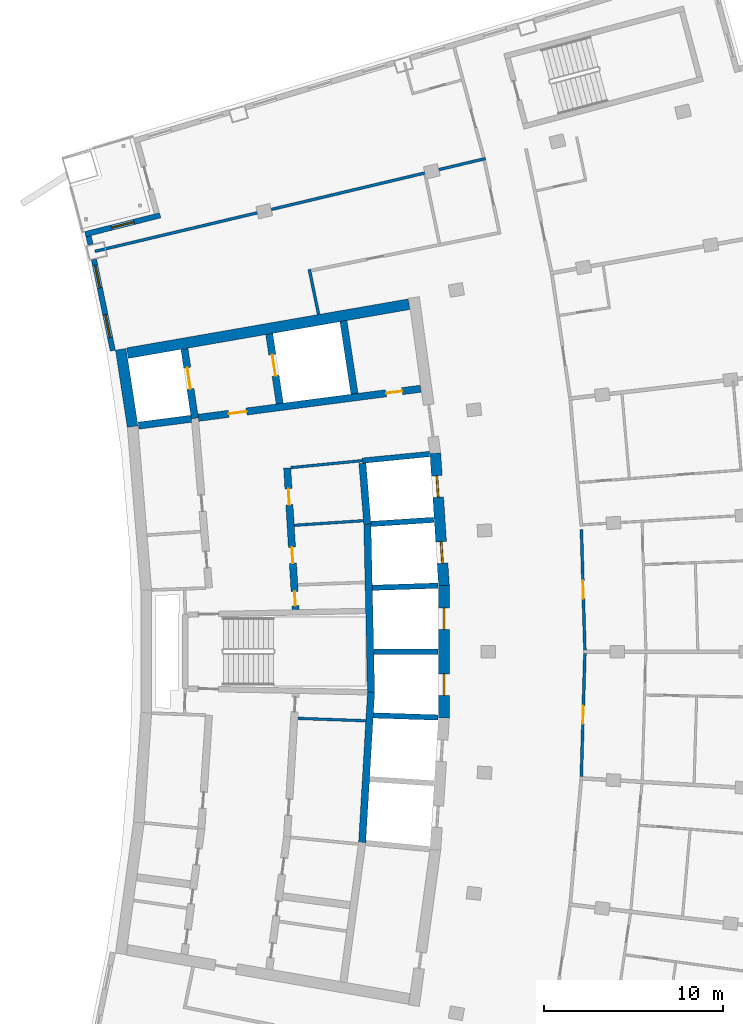
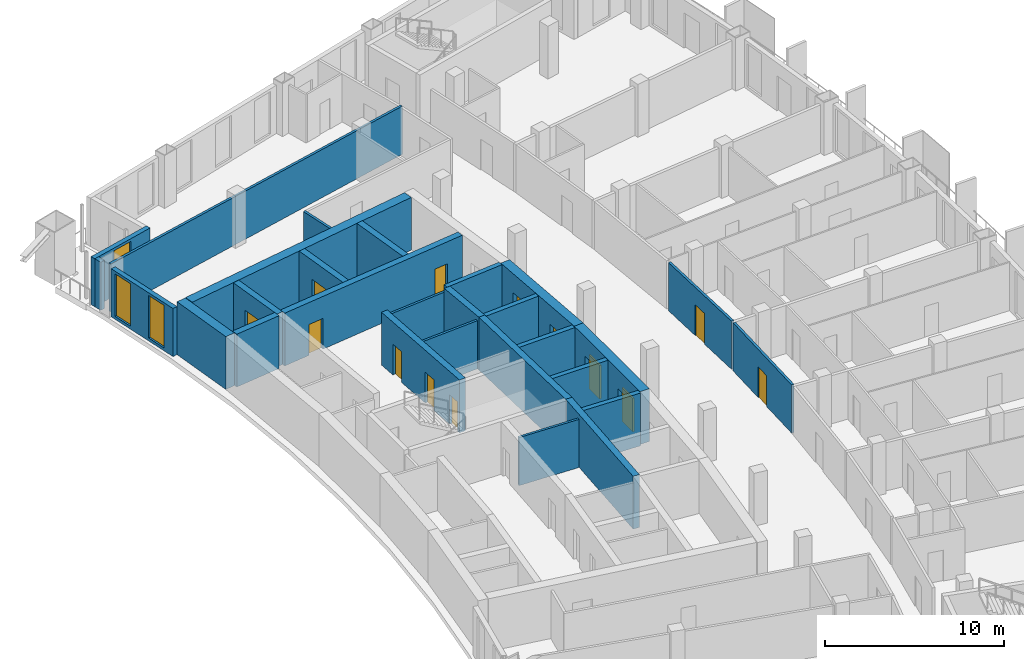
# One storey, part 12 of 18: 28 walls, 13 doors, 3 windows, 16 openings.
"""IFC4 building model written with IfcOpenShell, lengths in metres."""

from ifc_helpers import new_model, si_unit, direction, frame, frame_2d, origin, place, context, subcontext, project, spatial, rectangle, extrude, material, layer, layer_set, type_object, element, fill, save


model = new_model("IFC4")

# Units and contexts
model_context = context("Model", 3, precision=1e-05, world=origin(), true_north=direction((0.0, 1.0)))
body_context = subcontext(model_context, "Body", "Model", "MODEL_VIEW")
ifc_project = project(units=[si_unit("LENGTHUNIT", "METRE"), si_unit("AREAUNIT", "SQUARE_METRE"), si_unit("VOLUMEUNIT", "CUBIC_METRE"), si_unit("PLANEANGLEUNIT", "RADIAN"), si_unit("MASSUNIT", "GRAM", prefix="KILO")], contexts=[model_context])

# Site, building, storey
site_placement = place(None, origin())
site = spatial("IfcSite", under=ifc_project, at=site_placement, CompositionType="ELEMENT")
building_placement = place(site_placement, origin())
building = spatial("IfcBuilding", under=site, at=building_placement, Name="Alderwake Tower", CompositionType="ELEMENT")
storey_placement = place(building_placement, frame((0.0, 0.0, 225.199951171875)))
storey = spatial("IfcBuildingStorey", under=building, at=storey_placement, Name="L56", CompositionType="ELEMENT", Elevation=225.199951171875)

# Walls
ifc_material_1 = material(Name="Gypsum shaft wall system, rated")
ifc_layer_1 = layer(ifc_material_1, 0.14990234375)
ifc_layer_set_1 = layer_set([ifc_layer_1], Name="Core riser partition 150")
wall_type_1 = type_object("IfcWallType", Name="Core riser partition 150", PredefinedType="PARTITIONING", material=ifc_layer_set_1)
wall_1_placement = place(storey_placement, frame((25.1904296875, 57.276611328125, 0.0), z_axis=(0.0, 0.0, 1.0), x_axis=(0.999373547283, -0.03539086028, 0.0)))
element("IfcWall", 1, at=wall_1_placement, inside=storey, type_object=wall_type_1, Name="CW/L56/PR-37_+86", PredefinedType="PARTITIONING", context=body_context, shape_type="SweptSolid", body=[
    extrude(rectangle(XDim=3.794189453125, YDim=0.14990234375, at=frame_2d((1.89697265625, 0.0))), origin(), (0.0, 0.0, 1.0), 3.280029296875),
])
ifc_material_2 = material(Name="Gypsum shaft wall system, rated")
ifc_layer_2 = layer(ifc_material_2, 0.14990234375)
ifc_layer_set_2 = layer_set([ifc_layer_2], Name="Core room partition 150")
wall_type_2 = type_object("IfcWallType", Name="Core room partition 150", PredefinedType="PARTITIONING", material=ifc_layer_set_2)
wall_2_placement = place(storey_placement, frame((24.992431640625, 68.038818359375, 0.0), z_axis=(0.0, 0.0, 1.0), x_axis=(0.997760236964, 0.066891774789, 0.0)))
element("IfcWall", 2, at=wall_2_placement, inside=storey, type_object=wall_type_2, Name="CW/L56/PR+70_+86", PredefinedType="PARTITIONING", context=body_context, shape_type="SweptSolid", body=[
    extrude(rectangle(XDim=3.86865234375, YDim=0.14990234375, at=frame_2d((1.934326171875, 0.0))), origin(), (0.0, 0.0, 1.0), 3.280029296875),
])
wall_3_placement = place(storey_placement, frame((24.799560546875, 71.2548828125, 0.0), z_axis=(0.0, 0.0, 1.0), x_axis=(0.995250000627, 0.097352125046, 0.0)))
element("IfcWall", 3, at=wall_3_placement, inside=storey, type_object=wall_type_2, Name="CW/L56/PR+102_+86", PredefinedType="PARTITIONING", context=body_context, shape_type="SweptSolid", body=[
    extrude(rectangle(XDim=4.0, YDim=0.14990234375, at=frame_2d((2.0, 0.0))), origin(), (0.0, 0.0, 1.0), 3.280029296875),
])
ifc_material_3 = material(Name="Concrete C70/85", Category="concrete")
ifc_layer_3 = layer(ifc_material_3, 0.60009765625)
ifc_layer_set_3 = layer_set([ifc_layer_3], Name="Core wall outer 600 C70-85")
wall_type_3 = type_object("IfcWallType", Name="Core wall outer 600 C70-85", PredefinedType="SHEAR", material=ifc_layer_set_3)
wall_4_placement = place(storey_placement, frame((15.984130859375, 73.54296875, 0.0), z_axis=(0.0, 0.0, 1.0), x_axis=(-0.151922578304, 0.988392396876, 0.0)))
element("IfcWall", 4, at=wall_4_placement, inside=storey, type_object=wall_type_3, Name="Core wall CW.034", PredefinedType="SHEAR", context=body_context, shape_type="SweptSolid", body=[
    extrude(rectangle(XDim=4.361328125, YDim=0.60009765625, at=frame_2d((2.1806640625, 0.0))), origin(), (0.0, 0.0, 1.0), 3.60009765625),
])

# Wall, openings, doors
wall_5_placement = place(storey_placement, frame((33.340087890625, 57.30322265625, 0.0), z_axis=(0.0, 0.0, 1.0), x_axis=(0.0, 1.0, 0.0)))
wall_5 = element("IfcWall", 5, at=wall_5_placement, inside=storey, type_object=wall_type_3, Name="Core wall CW.018", PredefinedType="SHEAR", context=body_context, shape_type="SweptSolid", body=[
    extrude(rectangle(XDim=7.3935546875, YDim=0.60009765625, at=frame_2d((3.69677734375, 0.0))), origin(), (0.0, 0.0, 1.0), 3.60009765625),
])
opening_1_placement = place(wall_5_placement, frame((1.25341796875, 0.0, 0.0)))
opening_1 = element("IfcOpeningElement", 6, at=opening_1_placement, cuts=wall_5, Name="Opening LD-HP3", PredefinedType="OPENING", context=body_context, shape_type="SweptSolid", body=[
    extrude(rectangle(XDim=1.199951171875, YDim=2.300048828125, at=frame_2d((0.60009765625, 1.14990234375))), frame((0.0, 0.31005859375, 0.0), z_axis=(0.0, -1.0, 0.0), x_axis=(1.0, 0.0, 0.0)), (0.0, 0.0, 1.0), 0.6201171875),
])
opening_2_placement = place(wall_5_placement, frame((4.940185546875, 0.0, 0.0)))
opening_2 = element("IfcOpeningElement", 7, at=opening_2_placement, cuts=wall_5, Name="Opening LD-HP4", PredefinedType="OPENING", context=body_context, shape_type="SweptSolid", body=[
    extrude(rectangle(XDim=1.199951171875, YDim=2.300048828125, at=frame_2d((0.60009765625, 1.14990234375))), frame((0.0, 0.31005859375, 0.0), z_axis=(0.0, -1.0, 0.0), x_axis=(1.0, 0.0, 0.0)), (0.0, 0.0, 1.0), 0.6201171875),
])
ifc_material_4 = material(Name="Stainless steel sliding leaf", Category="steel")
door_type_1 = type_object("IfcDoorType", Name="Lift landing door 1200", OperationType="SLIDING_TO_LEFT", PredefinedType="DOOR", material=ifc_material_4)
door_1_placement = place(opening_1_placement, origin())
door_1 = element("IfcDoor", 8, at=door_1_placement, inside=storey, type_object=door_type_1, Name="Lift landing door HP3", OperationType="SLIDING_TO_LEFT", OverallHeight=2.300048828125, OverallWidth=1.199951171875, PredefinedType="DOOR", context=body_context, shape_type="SweptSolid", body=[
    extrude(rectangle(XDim=1.199951171875, YDim=2.300048828125, at=frame_2d((0.60009765625, 1.14990234375))), frame((0.0, 0.050048828125, 0.0), z_axis=(0.0, -1.0, 0.0), x_axis=(1.0, 0.0, 0.0)), (0.0, 0.0, 1.0), 0.10009765625),
])
fill(opening_1, door_1)
door_2_placement = place(opening_2_placement, origin())
door_2 = element("IfcDoor", 9, at=door_2_placement, inside=storey, type_object=door_type_1, Name="Lift landing door HP4", OperationType="SLIDING_TO_LEFT", OverallHeight=2.300048828125, OverallWidth=1.199951171875, PredefinedType="DOOR", context=body_context, shape_type="SweptSolid", body=[
    extrude(rectangle(XDim=1.199951171875, YDim=2.300048828125, at=frame_2d((0.60009765625, 1.14990234375))), frame((0.0, 0.050048828125, 0.0), z_axis=(0.0, -1.0, 0.0), x_axis=(1.0, 0.0, 0.0)), (0.0, 0.0, 1.0), 0.10009765625),
])
fill(opening_2, door_2)

wall_6_placement = place(storey_placement, frame((33.3408203125, 64.67626953125, 0.0), z_axis=(0.0, 0.0, 1.0), x_axis=(-0.065013379938, 0.997884392317, 0.0)))
wall_6 = element("IfcWall", 10, at=wall_6_placement, inside=storey, type_object=wall_type_3, Name="Core wall CW.015", PredefinedType="SHEAR", context=body_context, shape_type="SweptSolid", body=[
    extrude(rectangle(XDim=7.39404296875, YDim=0.60009765625, at=frame_2d((3.697021484375, 0.0))), origin(), (0.0, 0.0, 1.0), 3.60009765625),
])
opening_3_placement = place(wall_6_placement, frame((1.253173828125, 0.0, 0.0)))
opening_3 = element("IfcOpeningElement", 11, at=opening_3_placement, cuts=wall_6, Name="Opening LD-HP5", PredefinedType="OPENING", context=body_context, shape_type="SweptSolid", body=[
    extrude(rectangle(XDim=1.199951171875, YDim=2.300048828125, at=frame_2d((0.60009765625, 1.14990234375))), frame((0.0, 0.31005859375, 0.0), z_axis=(0.0, -1.0, 0.0), x_axis=(1.0, 0.0, 0.0)), (0.0, 0.0, 1.0), 0.6201171875),
])
opening_4_placement = place(wall_6_placement, frame((4.940185546875, 0.0, 0.0)))
opening_4 = element("IfcOpeningElement", 12, at=opening_4_placement, cuts=wall_6, Name="Opening LD-HP6", PredefinedType="OPENING", context=body_context, shape_type="SweptSolid", body=[
    extrude(rectangle(XDim=1.199951171875, YDim=2.300048828125, at=frame_2d((0.60009765625, 1.14990234375))), frame((0.0, 0.31005859375, 0.0), z_axis=(0.0, -1.0, 0.0), x_axis=(1.0, 0.0, 0.0)), (0.0, 0.0, 1.0), 0.6201171875),
])
door_3_placement = place(opening_3_placement, origin())
door_3 = element("IfcDoor", 13, at=door_3_placement, inside=storey, type_object=door_type_1, Name="Lift landing door HP5", OperationType="SLIDING_TO_LEFT", OverallHeight=2.300048828125, OverallWidth=1.199951171875, PredefinedType="DOOR", context=body_context, shape_type="SweptSolid", body=[
    extrude(rectangle(XDim=1.199951171875, YDim=2.300048828125, at=frame_2d((0.60009765625, 1.14990234375))), frame((0.0, 0.050048828125, 0.0), z_axis=(0.0, -1.0, 0.0), x_axis=(1.0, 0.0, 0.0)), (0.0, 0.0, 1.0), 0.10009765625),
])
fill(opening_3, door_3)
door_4_placement = place(opening_4_placement, origin())
door_4 = element("IfcDoor", 14, at=door_4_placement, inside=storey, type_object=door_type_1, Name="Lift landing door HP6", OperationType="SLIDING_TO_LEFT", OverallHeight=2.300048828125, OverallWidth=1.199951171875, PredefinedType="DOOR", context=body_context, shape_type="SweptSolid", body=[
    extrude(rectangle(XDim=1.199951171875, YDim=2.300048828125, at=frame_2d((0.60009765625, 1.14990234375))), frame((0.0, 0.050048828125, 0.0), z_axis=(0.0, -1.0, 0.0), x_axis=(1.0, 0.0, 0.0)), (0.0, 0.0, 1.0), 0.10009765625),
])
fill(opening_4, door_4)

# Walls
wall_7_placement = place(storey_placement, frame((15.68896484375, 77.6357421875, 0.0), z_axis=(0.0, 0.0, 1.0), x_axis=(0.985223223422, 0.17127521721, 0.0)))
element("IfcWall", 15, at=wall_7_placement, inside=storey, type_object=wall_type_3, Name="Core wall CW.055", PredefinedType="SHEAR", context=body_context, shape_type="SweptSolid", body=[
    extrude(rectangle(XDim=15.933349609375, YDim=0.60009765625, at=frame_2d((7.966796875, 0.0))), origin(), (0.0, 0.0, 1.0), 3.60009765625),
])
ifc_material_5 = material(Name="Concrete C70/85", Category="concrete")
ifc_layer_4 = layer(ifc_material_5, 0.300048828125)
ifc_layer_set_4 = layer_set([ifc_layer_4], Name="Core wall shaft 300 C70-85")
wall_type_4 = type_object("IfcWallType", Name="Core wall shaft 300 C70-85", PredefinedType="SHEAR", material=ifc_layer_set_4)
wall_8_placement = place(storey_placement, frame((29.400634765625, 57.441650390625, 0.0), z_axis=(0.0, 0.0, 1.0), x_axis=(0.999471151072, -0.032517966969, 0.0)))
element("IfcWall", 16, at=wall_8_placement, inside=storey, type_object=wall_type_4, Name="Core wall CW.075", PredefinedType="SHEAR", context=body_context, shape_type="SweptSolid", body=[
    extrude(rectangle(XDim=3.611328125, YDim=0.300048828125, at=frame_2d((1.8056640625, 0.0))), origin(), (0.0, 0.0, 1.0), 3.60009765625),
])
wall_9_placement = place(storey_placement, frame((29.426025390625, 61.0, 0.0), z_axis=(0.0, 0.0, 1.0), x_axis=(1.0, 0.0, 0.0)))
element("IfcWall", 17, at=wall_9_placement, inside=storey, type_object=wall_type_4, Name="Core wall CW.048", PredefinedType="SHEAR", context=body_context, shape_type="SweptSolid", body=[
    extrude(rectangle(XDim=3.583984375, YDim=0.300048828125, at=frame_2d((1.7919921875, 0.0))), origin(), (0.0, 0.0, 1.0), 3.60009765625),
])
wall_10_placement = place(storey_placement, frame((29.347412109375, 64.556396484375, 0.0), z_axis=(0.0, 0.0, 1.0), x_axis=(0.99946918462, 0.032578351638, 0.0)))
element("IfcWall", 18, at=wall_10_placement, inside=storey, type_object=wall_type_4, Name="Core wall CW.058", PredefinedType="SHEAR", context=body_context, shape_type="SweptSolid", body=[
    extrude(rectangle(XDim=3.66455078125, YDim=0.300048828125, at=frame_2d((1.832275390625, 0.0))), origin(), (0.0, 0.0, 1.0), 3.60009765625),
])
wall_11_placement = place(storey_placement, frame((29.268798828125, 68.115478515625, 0.0), z_axis=(0.0, 0.0, 1.0), x_axis=(0.997887366571, 0.064967712281, 0.0)))
element("IfcWall", 19, at=wall_11_placement, inside=storey, type_object=wall_type_4, Name="Core wall CW.061", PredefinedType="SHEAR", context=body_context, shape_type="SweptSolid", body=[
    extrude(rectangle(XDim=3.509765625, YDim=0.300048828125, at=frame_2d((1.7548828125, 0.0))), origin(), (0.0, 0.0, 1.0), 3.60009765625),
])
wall_12_placement = place(storey_placement, frame((28.780517578125, 71.644287109375, 0.0), z_axis=(0.0, 0.0, 1.0), x_axis=(0.995245280185, 0.097400370992, 0.0)))
element("IfcWall", 20, at=wall_12_placement, inside=storey, type_object=wall_type_4, Name="Core wall CW.049", PredefinedType="SHEAR", context=body_context, shape_type="SweptSolid", body=[
    extrude(rectangle(XDim=3.769775390625, YDim=0.300048828125, at=frame_2d((1.884765625, 0.0))), origin(), (0.0, 0.0, 1.0), 3.60009765625),
])

# Wall, opening, door
ifc_material_6 = material(Name="Concrete C70/85", Category="concrete")
ifc_layer_5 = layer(ifc_material_6, 0.39990234375)
ifc_layer_set_5 = layer_set([ifc_layer_5], Name="Core wall spine 400 C70-85")
wall_type_5 = type_object("IfcWallType", Name="Core wall spine 400 C70-85", PredefinedType="SHEAR", material=ifc_layer_set_5)
wall_13_placement = place(storey_placement, frame((19.4541015625, 74.00048828125, 0.0), z_axis=(0.0, 0.0, 1.0), x_axis=(-0.148977743105, 0.98884054936, 0.0)))
wall_13 = element("IfcWall", 21, at=wall_13_placement, inside=storey, type_object=wall_type_5, Name="Core wall CW.030", PredefinedType="SHEAR", context=body_context, shape_type="SweptSolid", body=[
    extrude(rectangle(XDim=3.9150390625, YDim=0.39990234375, at=frame_2d((1.95751953125, 0.0))), origin(), (0.0, 0.0, 1.0), 3.60009765625),
])
opening_5_placement = place(wall_13_placement, frame((1.6611328125, 0.0, 0.0)))
opening_5 = element("IfcOpeningElement", 22, at=opening_5_placement, cuts=wall_13, Name="Opening LD-FF1", PredefinedType="OPENING", context=body_context, shape_type="SweptSolid", body=[
    extrude(rectangle(XDim=1.199951171875, YDim=2.300048828125, at=frame_2d((0.60009765625, 1.14990234375))), frame((0.0, 0.2099609375, 0.0), z_axis=(0.0, -1.0, 0.0), x_axis=(1.0, 0.0, 0.0)), (0.0, 0.0, 1.0), 0.419921875),
])
door_5_placement = place(opening_5_placement, origin())
door_5 = element("IfcDoor", 23, at=door_5_placement, inside=storey, type_object=door_type_1, Name="Lift landing door FF1", OperationType="SLIDING_TO_LEFT", OverallHeight=2.300048828125, OverallWidth=1.199951171875, PredefinedType="DOOR", context=body_context, shape_type="SweptSolid", body=[
    extrude(rectangle(XDim=1.199951171875, YDim=2.300048828125, at=frame_2d((0.60009765625, 1.14990234375))), frame((0.0, 0.02490234375, 0.0), z_axis=(0.0, -1.0, 0.0), x_axis=(1.0, 0.0, 0.0)), (0.0, 0.0, 1.0), 0.050048828125),
])
fill(opening_5, door_5)

# Wall, openings, doors
wall_14_placement = place(storey_placement, frame((25.073974609375, 63.335693359375, 0.0), z_axis=(0.0, 0.0, 1.0), x_axis=(-0.059848641072, 0.998207463487, 0.0)))
wall_14 = element("IfcWall", 24, at=wall_14_placement, inside=storey, type_object=wall_type_5, Name="Core wall CW.045", PredefinedType="SHEAR", context=body_context, shape_type="SweptSolid", body=[
    extrude(rectangle(XDim=7.913818359375, YDim=0.39990234375, at=frame_2d((3.95703125, 0.0))), origin(), (0.0, 0.0, 1.0), 3.60009765625),
])
opening_6_placement = place(wall_14_placement, frame((0.216064453125, 0.0, 0.0)))
opening_6 = element("IfcOpeningElement", 25, at=opening_6_placement, cuts=wall_14, Name="Opening C005", PredefinedType="OPENING", context=body_context, shape_type="SweptSolid", body=[
    extrude(rectangle(XDim=0.800048828125, YDim=2.0, at=frame_2d((0.39990234375, 1.0))), frame((0.0, 0.2099609375, 0.0), z_axis=(0.0, -1.0, 0.0), x_axis=(1.0, 0.0, 0.0)), (0.0, 0.0, 1.0), 0.419921875),
])
opening_7_placement = place(wall_14_placement, frame((5.856201171875, 0.0, 0.0)))
opening_7 = element("IfcOpeningElement", 26, at=opening_7_placement, cuts=wall_14, Name="Opening C023", PredefinedType="OPENING", context=body_context, shape_type="SweptSolid", body=[
    extrude(rectangle(XDim=0.89990234375, YDim=2.10009765625, at=frame_2d((0.449951171875, 1.050048828125))), frame((0.0, 0.2099609375, 0.0), z_axis=(0.0, -1.0, 0.0), x_axis=(1.0, 0.0, 0.0)), (0.0, 0.0, 1.0), 0.419921875),
])
opening_8_placement = place(wall_14_placement, frame((2.590087890625, 0.0, 0.0)))
opening_8 = element("IfcOpeningElement", 27, at=opening_8_placement, cuts=wall_14, Name="Opening C059", PredefinedType="OPENING", context=body_context, shape_type="SweptSolid", body=[
    extrude(rectangle(XDim=0.89990234375, YDim=2.10009765625, at=frame_2d((0.449951171875, 1.050048828125))), frame((0.0, 0.2099609375, 0.0), z_axis=(0.0, -1.0, 0.0), x_axis=(1.0, 0.0, 0.0)), (0.0, 0.0, 1.0), 0.419921875),
])
ifc_material_7 = material(Name="Painted steel leaf", Category="steel")
door_type_2 = type_object("IfcDoorType", Name="Core room door 900", OperationType="SINGLE_SWING_LEFT", PredefinedType="DOOR", material=ifc_material_7)
door_6_placement = place(opening_7_placement, origin())
door_6 = element("IfcDoor", 28, at=door_6_placement, inside=storey, type_object=door_type_2, Name="Room door", OperationType="SINGLE_SWING_RIGHT", OverallHeight=2.10009765625, OverallWidth=0.89990234375, PredefinedType="DOOR", context=body_context, shape_type="SweptSolid", body=[
    extrude(rectangle(XDim=0.89990234375, YDim=2.10009765625, at=frame_2d((0.449951171875, 1.050048828125))), frame((0.0, 0.02490234375, 0.0), z_axis=(0.0, -1.0, 0.0), x_axis=(1.0, 0.0, 0.0)), (0.0, 0.0, 1.0), 0.050048828125),
])
fill(opening_7, door_6)
door_7_placement = place(opening_8_placement, origin())
door_7 = element("IfcDoor", 29, at=door_7_placement, inside=storey, type_object=door_type_2, Name="Room door", OperationType="SINGLE_SWING_LEFT", OverallHeight=2.10009765625, OverallWidth=0.89990234375, PredefinedType="DOOR", context=body_context, shape_type="SweptSolid", body=[
    extrude(rectangle(XDim=0.89990234375, YDim=2.10009765625, at=frame_2d((0.449951171875, 1.050048828125))), frame((0.0, 0.02490234375, 0.0), z_axis=(0.0, -1.0, 0.0), x_axis=(1.0, 0.0, 0.0)), (0.0, 0.0, 1.0), 0.050048828125),
])
fill(opening_8, door_7)
ifc_material_8 = material(Name="Painted steel leaf, rated", Category="steel")
door_type_3 = type_object("IfcDoorType", Name="Riser access door 800", OperationType="SINGLE_SWING_LEFT", PredefinedType="DOOR", material=ifc_material_8)
door_8_placement = place(opening_6_placement, origin())
door_8 = element("IfcDoor", 30, at=door_8_placement, inside=storey, type_object=door_type_3, Name="Riser access door", OperationType="SINGLE_SWING_LEFT", OverallHeight=2.0, OverallWidth=0.800048828125, PredefinedType="DOOR", context=body_context, shape_type="SweptSolid", body=[
    extrude(rectangle(XDim=0.800048828125, YDim=2.0, at=frame_2d((0.39990234375, 1.0))), frame((0.0, 0.02490234375, 0.0), z_axis=(0.0, -1.0, 0.0), x_axis=(1.0, 0.0, 0.0)), (0.0, 0.0, 1.0), 0.050048828125),
])
fill(opening_6, door_8)

# Wall, opening, door
wall_15_placement = place(storey_placement, frame((24.186279296875, 74.82861328125, 0.0), z_axis=(0.0, 0.0, 1.0), x_axis=(-0.150092938275, 0.988671891924, 0.0)))
wall_15 = element("IfcWall", 31, at=wall_15_placement, inside=storey, type_object=wall_type_5, Name="Core wall CW.044", PredefinedType="SHEAR", context=body_context, shape_type="SweptSolid", body=[
    extrude(rectangle(XDim=3.92333984375, YDim=0.39990234375, at=frame_2d((1.961669921875, 0.0))), origin(), (0.0, 0.0, 1.0), 3.60009765625),
])
opening_9_placement = place(wall_15_placement, frame((1.561767578125, 0.0, 0.0)))
opening_9 = element("IfcOpeningElement", 32, at=opening_9_placement, cuts=wall_15, Name="Opening LD-FF2", PredefinedType="OPENING", context=body_context, shape_type="SweptSolid", body=[
    extrude(rectangle(XDim=1.199951171875, YDim=2.300048828125, at=frame_2d((0.60009765625, 1.14990234375))), frame((0.0, 0.2099609375, 0.0), z_axis=(0.0, -1.0, 0.0), x_axis=(1.0, 0.0, 0.0)), (0.0, 0.0, 1.0), 0.419921875),
])
door_9_placement = place(opening_9_placement, origin())
door_9 = element("IfcDoor", 33, at=door_9_placement, inside=storey, type_object=door_type_1, Name="Lift landing door FF2", OperationType="SLIDING_TO_LEFT", OverallHeight=2.300048828125, OverallWidth=1.199951171875, PredefinedType="DOOR", context=body_context, shape_type="SweptSolid", body=[
    extrude(rectangle(XDim=1.199951171875, YDim=2.300048828125, at=frame_2d((0.60009765625, 1.14990234375))), frame((0.0, 0.02490234375, 0.0), z_axis=(0.0, -1.0, 0.0), x_axis=(1.0, 0.0, 0.0)), (0.0, 0.0, 1.0), 0.050048828125),
])
fill(opening_9, door_9)

# Walls
wall_16_placement = place(storey_placement, frame((28.780029296875, 50.34765625, 0.0), z_axis=(0.0, 0.0, 1.0), x_axis=(0.05912910263, 0.998250343963, 0.0)))
element("IfcWall", 34, at=wall_16_placement, inside=storey, type_object=wall_type_5, Name="Core wall CW.004", PredefinedType="SHEAR", context=body_context, shape_type="SweptSolid", body=[
    extrude(rectangle(XDim=8.40234375, YDim=0.39990234375, at=frame_2d((4.201171875, 0.0))), origin(), (0.0, 0.0, 1.0), 3.60009765625),
])
wall_17_placement = place(storey_placement, frame((29.276611328125, 58.71826171875, 0.0), z_axis=(0.0, 0.0, 1.0), x_axis=(-0.022119171053, 0.999755341207, 0.0)))
element("IfcWall", 35, at=wall_17_placement, inside=storey, type_object=wall_type_5, Name="Core wall CW.007", PredefinedType="SHEAR", context=body_context, shape_type="SweptSolid", body=[
    extrude(rectangle(XDim=9.392822265625, YDim=0.39990234375, at=frame_2d((4.6962890625, 0.0))), origin(), (0.0, 0.0, 1.0), 3.60009765625),
])
wall_18_placement = place(storey_placement, frame((29.069580078125, 68.09619140625, 0.0), z_axis=(0.0, 0.0, 1.0), x_axis=(-0.080544811251, 0.996750988653, 0.0)))
element("IfcWall", 36, at=wall_18_placement, inside=storey, type_object=wall_type_5, Name="Core wall CW.003", PredefinedType="SHEAR", context=body_context, shape_type="SweptSolid", body=[
    extrude(rectangle(XDim=3.409912109375, YDim=0.39990234375, at=frame_2d((1.705078125, 0.0))), origin(), (0.0, 0.0, 1.0), 3.60009765625),
])
wall_19_placement = place(storey_placement, frame((28.350830078125, 75.373291015625, 0.0), z_axis=(0.0, 0.0, 1.0), x_axis=(-0.150143035921, 0.988664285167, 0.0)))
element("IfcWall", 37, at=wall_19_placement, inside=storey, type_object=wall_type_5, Name="Core wall CW.001", PredefinedType="SHEAR", context=body_context, shape_type="SweptSolid", body=[
    extrude(rectangle(XDim=4.1123046875, YDim=0.39990234375, at=frame_2d((2.05615234375, 0.0))), origin(), (0.0, 0.0, 1.0), 3.60009765625),
])
wall_20_placement = place(storey_placement, frame((16.31005859375, 73.5966796875, 0.0), z_axis=(0.0, 0.0, 1.0), x_axis=(0.99155863891, 0.12965903595, 0.0)))
element("IfcWall", 38, at=wall_20_placement, inside=storey, type_object=wall_type_5, Name="Core wall CW.051", PredefinedType="SHEAR", context=body_context, shape_type="SweptSolid", body=[
    extrude(rectangle(XDim=2.969482421875, YDim=0.39990234375, at=frame_2d((1.48486328125, 0.0))), origin(), (0.0, 0.0, 1.0), 3.60009765625),
])

# Wall, openings, doors
wall_21_placement = place(storey_placement, frame((32.032958984375, 75.653076171875, 0.0), z_axis=(0.0, 0.0, 1.0), x_axis=(-0.991554886316, -0.129687730428, 0.0)))
wall_21 = element("IfcWall", 39, at=wall_21_placement, inside=storey, type_object=wall_type_5, Name="Core wall CW.052", PredefinedType="SHEAR", context=body_context, shape_type="SweptSolid", body=[
    extrude(rectangle(XDim=12.48681640625, YDim=0.39990234375, at=frame_2d((6.243408203125, 0.0))), origin(), (0.0, 0.0, 1.0), 3.60009765625),
])
opening_10_placement = place(wall_21_placement, frame((9.787109375, 0.0, 0.0)))
opening_10 = element("IfcOpeningElement", 40, at=opening_10_placement, cuts=wall_21, Name="Opening C002", PredefinedType="OPENING", context=body_context, shape_type="SweptSolid", body=[
    extrude(rectangle(XDim=1.0, YDim=2.10009765625, at=frame_2d((0.5, 1.050048828125))), frame((0.0, 0.2099609375, 0.0), z_axis=(0.0, -1.0, 0.0), x_axis=(1.0, 0.0, 0.0)), (0.0, 0.0, 1.0), 0.419921875),
])
opening_11_placement = place(wall_21_placement, frame((1.037109375, 0.0, 0.0)))
opening_11 = element("IfcOpeningElement", 41, at=opening_11_placement, cuts=wall_21, Name="Opening C020", PredefinedType="OPENING", context=body_context, shape_type="SweptSolid", body=[
    extrude(rectangle(XDim=0.89990234375, YDim=2.10009765625, at=frame_2d((0.449951171875, 1.050048828125))), frame((0.0, 0.2099609375, 0.0), z_axis=(0.0, -1.0, 0.0), x_axis=(1.0, 0.0, 0.0)), (0.0, 0.0, 1.0), 0.419921875),
])
door_10_placement = place(opening_11_placement, origin())
door_10 = element("IfcDoor", 42, at=door_10_placement, inside=storey, type_object=door_type_2, Name="Room door", OperationType="SINGLE_SWING_LEFT", OverallHeight=2.10009765625, OverallWidth=0.89990234375, PredefinedType="DOOR", context=body_context, shape_type="SweptSolid", body=[
    extrude(rectangle(XDim=0.89990234375, YDim=2.10009765625, at=frame_2d((0.449951171875, 1.050048828125))), frame((0.0, 0.02490234375, 0.0), z_axis=(0.0, -1.0, 0.0), x_axis=(1.0, 0.0, 0.0)), (0.0, 0.0, 1.0), 0.050048828125),
])
fill(opening_11, door_10)
ifc_material_9 = material(Name="Steel-framed fire door leaf", Category="steel")
door_type_4 = type_object("IfcDoorType", Name="Firefighting lobby door 1000 fire-rated", OperationType="SINGLE_SWING_LEFT", PredefinedType="DOOR", material=ifc_material_9)
door_11_placement = place(opening_10_placement, origin())
door_11 = element("IfcDoor", 43, at=door_11_placement, inside=storey, type_object=door_type_4, Name="Firefighting lobby door", OperationType="SINGLE_SWING_RIGHT", OverallHeight=2.10009765625, OverallWidth=1.0, PredefinedType="DOOR", context=body_context, shape_type="SweptSolid", body=[
    extrude(rectangle(XDim=1.0, YDim=2.10009765625, at=frame_2d((0.5, 1.050048828125))), frame((0.0, 0.02490234375, 0.0), z_axis=(0.0, -1.0, 0.0), x_axis=(1.0, 0.0, 0.0)), (0.0, 0.0, 1.0), 0.050048828125),
])
fill(opening_10, door_11)

# Walls
ifc_material_10 = material(Name="Gypsum board on metal studs, rated")
ifc_layer_6 = layer(ifc_material_10, 0.159912109375)
ifc_layer_set_6 = layer_set([ifc_layer_6], Name="Corridor wall 160")
wall_type_6 = type_object("IfcWallType", Name="Corridor wall 160", PredefinedType="PARTITIONING", material=ifc_layer_set_6)
wall_22_placement = place(storey_placement, frame((13.884033203125, 83.31298828125, 0.0), z_axis=(0.0, 0.0, 1.0), x_axis=(0.972893462073, 0.231253781493, 0.0)))
element("IfcWall", 44, at=wall_22_placement, inside=storey, type_object=wall_type_6, Name="WL/L56/W11", PredefinedType="PARTITIONING", context=body_context, shape_type="SweptSolid", body=[
    extrude(rectangle(XDim=22.38037109375, YDim=0.159912109375, at=frame_2d((11.190185546875, 0.0))), origin(), (0.0, 0.0, 1.0), 3.280029296875),
])
wall_23_placement = place(storey_placement, frame((25.831787109375, 82.305419921875, 0.0), z_axis=(0.0, 0.0, 1.0), x_axis=(0.202450797205, -0.979292435747, 0.0)))
element("IfcWall", 45, at=wall_23_placement, inside=storey, type_object=wall_type_6, Name="WL/L56/W14", PredefinedType="PARTITIONING", context=body_context, shape_type="SweptSolid", body=[
    extrude(rectangle(XDim=2.555419921875, YDim=0.159912109375, at=frame_2d((1.27783203125, 0.0))), origin(), (0.0, 0.0, 1.0), 3.280029296875),
])

# Wall, opening, door
wall_24_placement = place(storey_placement, frame((41.196044921875, 60.89892578125, 0.0), z_axis=(0.0, 0.0, 1.0), x_axis=(-0.028865238788, -0.99958331218, 0.0)))
wall_24 = element("IfcWall", 46, at=wall_24_placement, inside=storey, type_object=wall_type_6, Name="WL/L56/W27", PredefinedType="PARTITIONING", context=body_context, shape_type="SweptSolid", body=[
    extrude(rectangle(XDim=6.867919921875, YDim=0.159912109375, at=frame_2d((3.43408203125, 0.0))), origin(), (0.0, 0.0, 1.0), 3.280029296875),
])
opening_12_placement = place(wall_24_placement, frame((2.933837890625, 0.0, 0.0)))
opening_12 = element("IfcOpeningElement", 47, at=opening_12_placement, cuts=wall_24, Name="Opening R16-U05.1", PredefinedType="OPENING", context=body_context, shape_type="SweptSolid", body=[
    extrude(rectangle(XDim=1.0, YDim=2.10009765625, at=frame_2d((0.5, 1.050048828125))), frame((0.0, 0.08984375, 0.0), z_axis=(0.0, -1.0, 0.0), x_axis=(1.0, 0.0, 0.0)), (0.0, 0.0, 1.0), 0.179931640625),
])
ifc_material_11 = material(Name="Solid timber leaf in steel frame", Category="steel")
door_type_5 = type_object("IfcDoorType", Name="Flat entrance door 1000 fire-rated", OperationType="SINGLE_SWING_LEFT", PredefinedType="DOOR", material=ifc_material_11)
door_12_placement = place(opening_12_placement, origin())
door_12 = element("IfcDoor", 48, at=door_12_placement, inside=storey, type_object=door_type_5, Name="DR/L56/U05.1", OperationType="SINGLE_SWING_LEFT", OverallHeight=2.10009765625, OverallWidth=1.0, PredefinedType="DOOR", context=body_context, shape_type="SweptSolid", body=[
    extrude(rectangle(XDim=1.0, YDim=2.10009765625, at=frame_2d((0.5, 1.050048828125))), frame((0.0, 0.02490234375, 0.0), z_axis=(0.0, -1.0, 0.0), x_axis=(1.0, 0.0, 0.0)), (0.0, 0.0, 1.0), 0.050048828125),
])
fill(opening_12, door_12)

wall_25_placement = place(storey_placement, frame((41.002685546875, 67.80029296875, 0.0), z_axis=(0.0, 0.0, 1.0), x_axis=(0.0288425569, -0.999583966914, 0.0)))
wall_25 = element("IfcWall", 49, at=wall_25_placement, inside=storey, type_object=wall_type_6, Name="WL/L56/W29", PredefinedType="PARTITIONING", context=body_context, shape_type="SweptSolid", body=[
    extrude(rectangle(XDim=6.703857421875, YDim=0.159912109375, at=frame_2d((3.35205078125, 0.0))), origin(), (0.0, 0.0, 1.0), 3.280029296875),
])
opening_13_placement = place(wall_25_placement, frame((2.85205078125, 0.0, 0.0)))
opening_13 = element("IfcOpeningElement", 50, at=opening_13_placement, cuts=wall_25, Name="Opening R16-U06.1", PredefinedType="OPENING", context=body_context, shape_type="SweptSolid", body=[
    extrude(rectangle(XDim=1.0, YDim=2.10009765625, at=frame_2d((0.5, 1.050048828125))), frame((0.0, 0.08984375, 0.0), z_axis=(0.0, -1.0, 0.0), x_axis=(1.0, 0.0, 0.0)), (0.0, 0.0, 1.0), 0.179931640625),
])
door_13_placement = place(opening_13_placement, origin())
door_13 = element("IfcDoor", 51, at=door_13_placement, inside=storey, type_object=door_type_5, Name="DR/L56/U06.1", OperationType="SINGLE_SWING_LEFT", OverallHeight=2.10009765625, OverallWidth=1.0, PredefinedType="DOOR", context=body_context, shape_type="SweptSolid", body=[
    extrude(rectangle(XDim=1.0, YDim=2.10009765625, at=frame_2d((0.5, 1.050048828125))), frame((0.0, 0.02490234375, 0.0), z_axis=(0.0, -1.0, 0.0), x_axis=(1.0, 0.0, 0.0)), (0.0, 0.0, 1.0), 0.050048828125),
])
fill(opening_13, door_13)

# Wall
ifc_material_12 = material(Name="Precast concrete C50/60 spandrel panel", Category="concrete")
ifc_layer_7 = layer(ifc_material_12, 0.300048828125)
ifc_layer_set_7 = layer_set([ifc_layer_7], Name="External wall EW1 Precast concrete C50/60 spandrel")
wall_type_7 = type_object("IfcWallType", Name="External wall EW1 Precast concrete C50/60 spandrel", PredefinedType="SOLIDWALL", material=ifc_layer_set_7)
wall_26_placement = place(storey_placement, frame((13.523193359375, 84.1572265625, 0.0), z_axis=(0.0, 0.0, 1.0), x_axis=(0.238448700846, -0.971155094238, 0.0)))
element("IfcWall", 52, at=wall_26_placement, inside=storey, type_object=wall_type_7, Name="External wall 30", PredefinedType="SOLIDWALL", context=body_context, shape_type="SweptSolid", body=[
    extrude(rectangle(XDim=0.47802734375, YDim=0.300048828125, at=frame_2d((0.239013671875, 0.0))), origin(), (0.0, 0.0, 1.0), 3.280029296875),
])

# Wall, openings, windows
wall_27_placement = place(storey_placement, frame((13.826904296875, 82.8544921875, 0.0), z_axis=(0.0, 0.0, 1.0), x_axis=(0.202730149235, -0.979234643276, 0.0)))
wall_27 = element("IfcWall", 53, at=wall_27_placement, inside=storey, type_object=wall_type_7, Name="External wall 31", PredefinedType="SOLIDWALL", context=body_context, shape_type="SweptSolid", body=[
    extrude(rectangle(XDim=5.185546875, YDim=0.300048828125, at=frame_2d((2.5927734375, 0.0))), origin(), (0.0, 0.0, 1.0), 3.280029296875),
])
opening_14_placement = place(wall_27_placement, frame((0.316162109375, 0.0, 0.199951171875)))
opening_14 = element("IfcOpeningElement", 54, at=opening_14_placement, cuts=wall_27, Name="Opening W1", PredefinedType="OPENING", context=body_context, shape_type="SweptSolid", body=[
    extrude(rectangle(XDim=1.300048828125, YDim=2.89990234375, at=frame_2d((0.64990234375, 1.449951171875))), frame((0.0, 0.159912109375, 0.0), z_axis=(0.0, -1.0, 0.0), x_axis=(1.0, 0.0, 0.0)), (0.0, 0.0, 1.0), 0.320068359375),
])
opening_15_placement = place(wall_27_placement, frame((3.12890625, 0.0, 0.199951171875)))
opening_15 = element("IfcOpeningElement", 55, at=opening_15_placement, cuts=wall_27, Name="Opening W1", PredefinedType="OPENING", context=body_context, shape_type="SweptSolid", body=[
    extrude(rectangle(XDim=1.300048828125, YDim=2.89990234375, at=frame_2d((0.64990234375, 1.449951171875))), frame((0.0, 0.159912109375, 0.0), z_axis=(0.0, -1.0, 0.0), x_axis=(1.0, 0.0, 0.0)), (0.0, 0.0, 1.0), 0.320068359375),
])
ifc_material_13 = material(Name="Bronze tinted glass in aluminium frame", Category="aluminium")
window_type = type_object("IfcWindowType", Name="Window W1 tall fixed and vent", PartitioningType="DOUBLE_PANEL_VERTICAL", PredefinedType="WINDOW", material=ifc_material_13)
window_1_placement = place(opening_14_placement, origin())
window_1 = element("IfcWindow", 56, at=window_1_placement, inside=storey, type_object=window_type, Name="Window W1 tall fixed and vent", OverallHeight=2.89990234375, OverallWidth=1.300048828125, PartitioningType="DOUBLE_PANEL_VERTICAL", PredefinedType="WINDOW", context=body_context, shape_type="SweptSolid", body=[
    extrude(rectangle(XDim=1.300048828125, YDim=2.89990234375, at=frame_2d((0.64990234375, 1.449951171875))), frame((0.0, 0.030029296875, 0.0), z_axis=(0.0, -1.0, 0.0), x_axis=(1.0, 0.0, 0.0)), (0.0, 0.0, 1.0), 0.06005859375),
])
fill(opening_14, window_1)
window_2_placement = place(opening_15_placement, origin())
window_2 = element("IfcWindow", 57, at=window_2_placement, inside=storey, type_object=window_type, Name="Window W1 tall fixed and vent", OverallHeight=2.89990234375, OverallWidth=1.300048828125, PartitioningType="DOUBLE_PANEL_VERTICAL", PredefinedType="WINDOW", context=body_context, shape_type="SweptSolid", body=[
    extrude(rectangle(XDim=1.300048828125, YDim=2.89990234375, at=frame_2d((0.64990234375, 1.449951171875))), frame((0.0, 0.030029296875, 0.0), z_axis=(0.0, -1.0, 0.0), x_axis=(1.0, 0.0, 0.0)), (0.0, 0.0, 1.0), 0.06005859375),
])
fill(opening_15, window_2)

# Wall, opening, window
ifc_material_14 = material(Name="Bronze metal cladding on lightweight framing")
ifc_layer_8 = layer(ifc_material_14, 0.300048828125)
ifc_layer_set_8 = layer_set([ifc_layer_8], Name="External wall EW2 bronze metal cladding")
wall_type_8 = type_object("IfcWallType", Name="External wall EW2 bronze metal cladding", PredefinedType="SOLIDWALL", material=ifc_layer_set_8)
wall_28_placement = place(storey_placement, frame((17.51611328125, 85.32275390625, 0.0), z_axis=(0.0, 0.0, 1.0), x_axis=(-0.969417740682, -0.245416470617, 0.0)))
wall_28 = element("IfcWall", 58, at=wall_28_placement, inside=storey, type_object=wall_type_8, Name="External wall 29", PredefinedType="SOLIDWALL", context=body_context, shape_type="SweptSolid", body=[
    extrude(rectangle(XDim=4.305419921875, YDim=0.300048828125, at=frame_2d((2.15283203125, 0.0))), origin(), (0.0, 0.0, 1.0), 3.280029296875),
])
opening_16_placement = place(wall_28_placement, frame((1.502685546875, 0.0, 0.199951171875)))
opening_16 = element("IfcOpeningElement", 59, at=opening_16_placement, cuts=wall_28, Name="Opening W1", PredefinedType="OPENING", context=body_context, shape_type="SweptSolid", body=[
    extrude(rectangle(XDim=1.300048828125, YDim=2.89990234375, at=frame_2d((0.64990234375, 1.449951171875))), frame((0.0, 0.159912109375, 0.0), z_axis=(0.0, -1.0, 0.0), x_axis=(1.0, 0.0, 0.0)), (0.0, 0.0, 1.0), 0.320068359375),
])
window_3_placement = place(opening_16_placement, origin())
window_3 = element("IfcWindow", 60, at=window_3_placement, inside=storey, type_object=window_type, Name="Window W1 tall fixed and vent", OverallHeight=2.89990234375, OverallWidth=1.300048828125, PartitioningType="DOUBLE_PANEL_VERTICAL", PredefinedType="WINDOW", context=body_context, shape_type="SweptSolid", body=[
    extrude(rectangle(XDim=1.300048828125, YDim=2.89990234375, at=frame_2d((0.64990234375, 1.449951171875))), frame((0.0, 0.030029296875, 0.0), z_axis=(0.0, -1.0, 0.0), x_axis=(1.0, 0.0, 0.0)), (0.0, 0.0, 1.0), 0.06005859375),
])
fill(opening_16, window_3)

save(model, "model.ifc")
